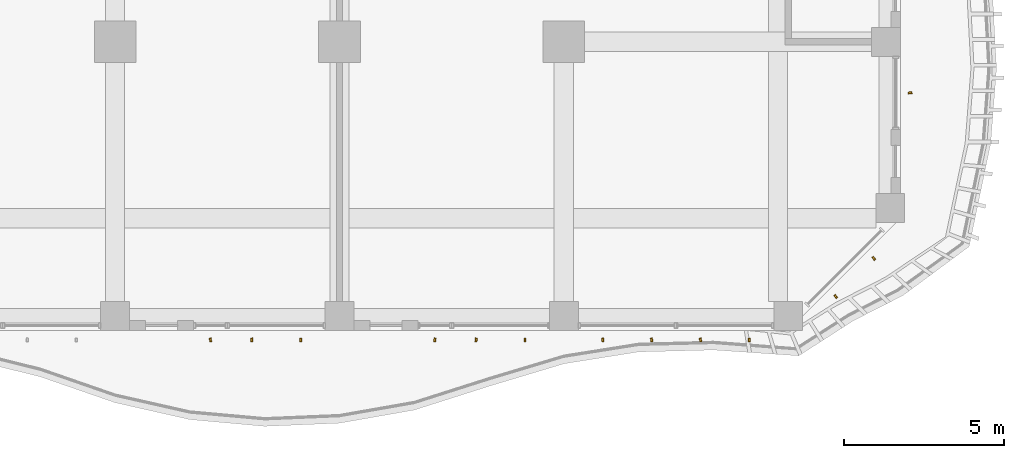
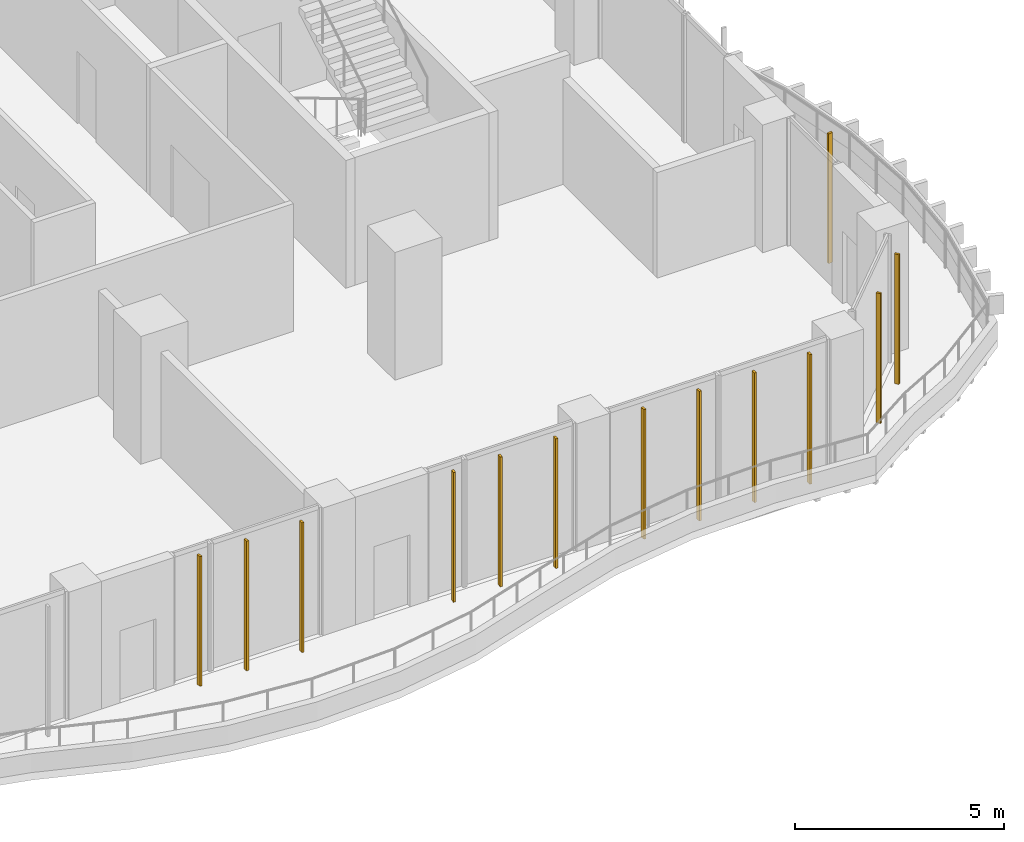
# One storey, part 22 of 27: 13 shading devices.
"""IFC4 building model written with IfcOpenShell, lengths in metres."""

from ifc_helpers import new_model, si_unit, direction, frame, origin, origin_2d, place, context, subcontext, project, spatial, rectangle, extrude, source, transform, mapped, material, material_profile, profile_set, type_object, element, save


model = new_model("IFC4")

# Units and contexts
model_context = context("Model", 3, precision=1e-05, world=origin(), true_north=direction((0.0, 1.0)))
body_context = subcontext(model_context, "Body", "Model", "MODEL_VIEW")
ifc_project = project(units=[si_unit("LENGTHUNIT", "METRE"), si_unit("AREAUNIT", "SQUARE_METRE"), si_unit("VOLUMEUNIT", "CUBIC_METRE"), si_unit("PLANEANGLEUNIT", "RADIAN"), si_unit("MASSUNIT", "GRAM", prefix="KILO")], contexts=[model_context])

# Site, building, storey
site_placement = place(None, origin())
site = spatial("IfcSite", under=ifc_project, at=site_placement, CompositionType="ELEMENT")
building_placement = place(site_placement, origin())
building = spatial("IfcBuilding", under=site, at=building_placement, Name="Kilnfold Tower and Market Hall", CompositionType="ELEMENT")
storey_placement = place(building_placement, frame((0.0, 0.0, 47.0)))
storey = spatial("IfcBuildingStorey", under=building, at=storey_placement, Name="L10", CompositionType="ELEMENT", Elevation=47.0)

# Shading devices
ifc_material = material(Name="Terracotta", Category="masonry")
ifc_material_profile = material_profile(ifc_material, rectangle(XDim=0.06005859375, YDim=0.1201171875, at=origin_2d()), Name="BAG 60x120")
ifc_profile_set = profile_set([ifc_material_profile], Name="Terracotta")
shading_device_type = type_object("IfcShadingDeviceType", Name="BAGUETTE", PredefinedType="USERDEFINED", material=ifc_profile_set)
shared_shape = source(origin(), body_context, "Body", "SweptSolid", [
    extrude(rectangle(XDim=0.06005859375, YDim=0.1201171875, at=origin_2d()), origin(), (0.0, 0.0, 1.0), 3.780029296875),
])
for number, where, z_axis, x_axis, name in (
    (1, (6.47509765625, -28.300048828125, 0.0), (0.0, 0.0, 1.0), (0.990825606822, 0.135146649481, 0.0), "Terracotta baguette L10 S"),
    (2, (7.762451171875, -28.300048828125, 0.0), (0.0, 0.0, 1.0), (0.99546403116, 0.095138649698, 0.0), "Terracotta baguette L10 S"),
    (3, (9.28759765625, -28.300048828125, 0.0), (0.0, 0.0, 1.0), (0.999956763549, 0.009298980234, 0.0), "Terracotta baguette L10 S"),
    (4, (13.47509765625, -28.300048828125, 0.0), (0.0, 0.0, 1.0), (0.990825606822, -0.135146649481, 0.0), "Terracotta baguette L10 S"),
    (5, (14.762451171875, -28.300048828125, 0.0), (0.0, 0.0, 1.0), (0.99546403116, -0.095138649698, 0.0), "Terracotta baguette L10 S"),
    (6, (16.28759765625, -28.300048828125, 0.0), (0.0, 0.0, 1.0), (0.999956763549, -0.009298980234, 0.0), "Terracotta baguette L10 S"),
    (7, (18.71240234375, -28.300048828125, 0.0), (0.0, 0.0, 1.0), (0.992916031435, 0.118818157361, 0.0), "Terracotta baguette L10 S"),
    (8, (20.237548828125, -28.300048828125, 0.0), (0.0, 0.0, 1.0), (0.990444824744, 0.137909568695, 0.0), "Terracotta baguette L10 S"),
    (9, (21.762451171875, -28.300048828125, 0.0), (0.0, 0.0, 1.0), (0.99546403116, 0.095138649698, 0.0), "Terracotta baguette L10 S"),
    (10, (23.28759765625, -28.300048828125, 0.0), (0.0, 0.0, 1.0), (0.999956763549, 0.009298980234, 0.0), "Terracotta baguette L10 S"),
    (11, (25.98095703125, -26.943359375, 0.0), (0.0, 0.0, 1.0), (0.795161368893, 0.606397887051, 0.0), "Terracotta baguette L10 SE"),
    (12, (27.16845703125, -25.755859375, 0.0), (0.0, 0.0, 1.0), (0.789598430236, 0.613623923075, 0.0), "Terracotta baguette L10 SE"),
    (13, (28.300048828125, -20.5908203125, 0.0), (0.0, 0.0, 1.0), (-0.134558657969, 0.99090563, 0.0), "Terracotta baguette L10 E"),
):
    element("IfcShadingDevice", number, at=place(storey_placement, frame(where, z_axis=z_axis, x_axis=x_axis)), inside=storey, type_object=shading_device_type, Name=name, ObjectType="BAGUETTE", PredefinedType="USERDEFINED", context=body_context, shape_type="MappedRepresentation", body=[
        mapped(shared_shape, transform((0.0, 0.0, 0.0))),
    ])

save(model, "model.ifc")
